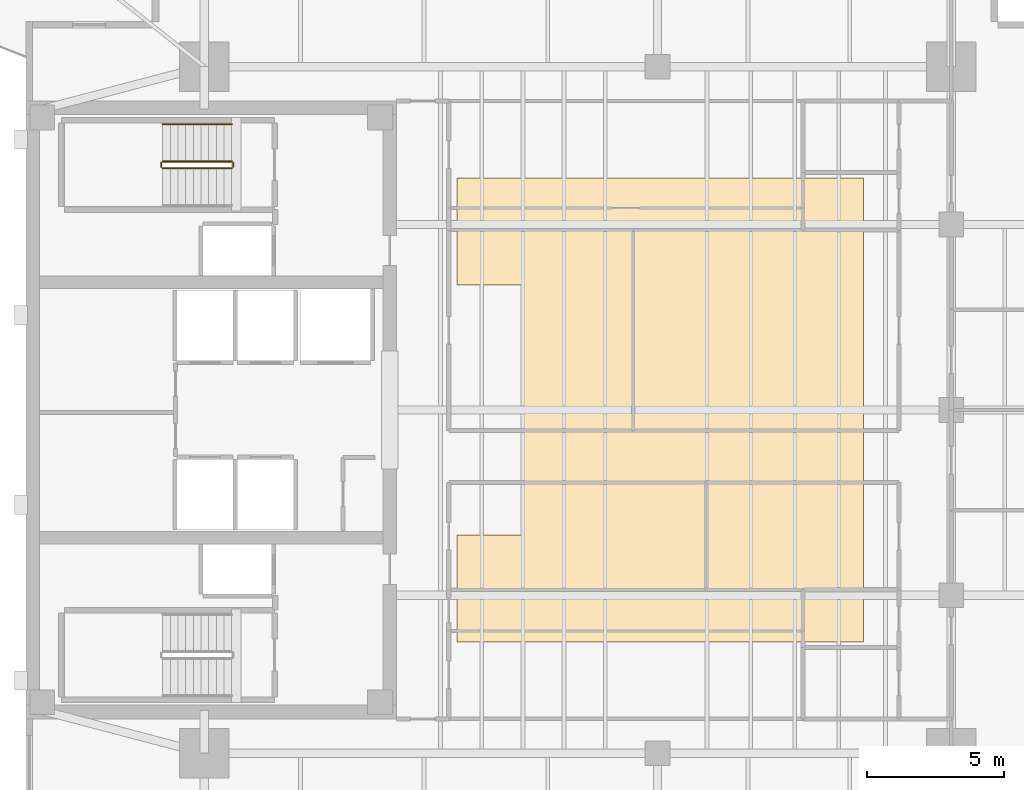
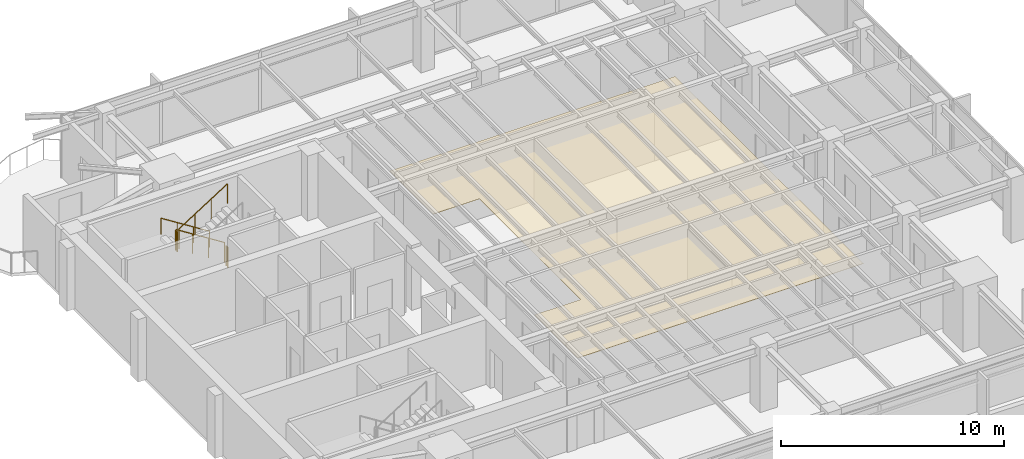
# One storey, part 13 of 14: 5 railings, 1 covering.
"""IFC4 building model written with IfcOpenShell, lengths in metres."""

import ifcopenshell
import ifcopenshell.guid

model = None  # the IFC model being written
_history = None  # IfcOwnerHistory: only IFC2X3 demands one
_inside = {}  # id of a spatial element -> (the spatial element, [elements in it])
_under = {}  # id of a project, library or spatial element -> (it, [spatial elements below it])
_declared = {}  # id of a project -> (the project, [libraries it declares])
_typed = {}  # id of a type object -> (the type object, [elements of that type])
_made_of = {}  # id of a material, layer set ... -> (it, [elements and type objects made of it])


def new_model(schema):
    """Start an empty IFC model of exactly this schema.

    Asked for "IFC4X3", IfcOpenShell would pick the latest addendum, in which some entities
    have other attributes; the version numbers below select the first issue.
    IFC2X3 requires an IfcOwnerHistory on every rooted entity: one is made here for all.
    """
    global model, _history
    if schema == "IFC4X3":
        model = ifcopenshell.file(schema_version=(4, 3, 0, 0))
    else:
        model = ifcopenshell.file(schema=schema)
    _inside.clear()
    _under.clear()
    _declared.clear()
    _typed.clear()
    _made_of.clear()
    _history = None
    if model.schema == "IFC2X3":
        org = make("IfcOrganization", Name="unknown")
        user = make(
            "IfcPersonAndOrganization",
            ThePerson=make("IfcPerson", FamilyName="unknown"),
            TheOrganization=org,
        )
        app = make(
            "IfcApplication",
            ApplicationDeveloper=org,
            Version="unknown",
            ApplicationFullName="unknown",
            ApplicationIdentifier="unknown",
        )
        _history = make(
            "IfcOwnerHistory",
            OwningUser=user,
            OwningApplication=app,
            ChangeAction="ADDED",
            CreationDate=0,
        )
    return model


def make(cls, **values):
    """One entity of the class cls with the attributes given. An attribute that is None is left unset."""
    return model.create_entity(
        cls, **{name: value for name, value in values.items() if value is not None}
    )


def rooted(cls, **values):
    """An entity with a GlobalId (a new one), such as an element, a storey or a relation."""
    return make(cls, GlobalId=ifcopenshell.guid.new(), OwnerHistory=_history, **values)


def si_unit(unit_type, name, prefix=None):
    """IfcSIUnit, for example si_unit("LENGTHUNIT", "METRE", prefix="MILLI")."""
    return make("IfcSIUnit", UnitType=unit_type, Prefix=prefix, Name=name)


def assignment(units):
    """IfcUnitAssignment: the units of a project."""
    return None if units is None else make("IfcUnitAssignment", Units=units)


def point(xyz):
    """IfcCartesianPoint."""
    return None if xyz is None else make("IfcCartesianPoint", Coordinates=xyz)


def direction(xyz):
    """IfcDirection."""
    return None if xyz is None else make("IfcDirection", DirectionRatios=xyz)


def frame(location, z_axis=None, x_axis=None):
    """IfcAxis2Placement3D, a coordinate frame: its origin and axes. An axis left out is left unset."""
    return make(
        "IfcAxis2Placement3D",
        Location=point(location),
        Axis=direction(z_axis),
        RefDirection=direction(x_axis),
    )


def frame_2d(location, x_axis=None):
    """IfcAxis2Placement2D, a coordinate frame in the plane: its origin and x axis."""
    return make(
        "IfcAxis2Placement2D", Location=point(location), RefDirection=direction(x_axis)
    )


def origin():
    """The frame at (0, 0, 0) with its axes left unset."""
    return frame((0.0, 0.0, 0.0))


def origin_2d():
    """The frame at (0, 0) in the plane with its x axis left unset."""
    return frame_2d((0.0, 0.0))


def place(relative_to, where):
    """IfcLocalPlacement: puts the frame where relative to a parent placement (None: the world)."""
    return make(
        "IfcLocalPlacement", PlacementRelTo=relative_to, RelativePlacement=where
    )


def context(
    kind, dimensions, precision=None, world=None, true_north=None, identifier=None
):
    """IfcGeometricRepresentationContext, for example the 3D "Model" context."""
    return make(
        "IfcGeometricRepresentationContext",
        ContextIdentifier=identifier,
        ContextType=kind,
        CoordinateSpaceDimension=dimensions,
        Precision=precision,
        WorldCoordinateSystem=world,
        TrueNorth=true_north,
    )


def subcontext(parent, identifier, kind, view, scale=None):
    """IfcGeometricRepresentationSubContext, for example "Body" below "Model"."""
    return make(
        "IfcGeometricRepresentationSubContext",
        ContextIdentifier=identifier,
        ContextType=kind,
        ParentContext=parent,
        TargetScale=scale,
        TargetView=view,
    )


def project(units=None, contexts=None):
    """IfcProject with its units and contexts."""
    return rooted(
        "IfcProject",
        Name="project",
        RepresentationContexts=contexts,
        UnitsInContext=assignment(units),
    )


def spatial(cls, under=None, at=None, **own):
    """A site, building, storey or space (cls), placed at a placement, below another one or the project."""
    s = rooted(cls, ObjectPlacement=at, **own)
    if under is not None:
        _under.setdefault(under.id(), (under, []))[1].append(s)
    return s


def polyline(points):
    """IfcPolyline through the points."""
    return make("IfcPolyline", Points=[point(p) for p in points])


def profile(cls, at=None, kind="AREA", **sizes):
    """A parametric profile (cls). Its sizes go by their IFC names, for example OverallWidth=200.0."""
    return make(cls, ProfileType=kind, Position=at, **sizes)


def circle(**sizes):
    """IfcCircleProfileDef."""
    return profile("IfcCircleProfileDef", **sizes)


def outline(outer, holes=None, kind="AREA"):
    """IfcArbitraryClosedProfileDef: a profile drawn as a closed curve; with holes, ...WithVoids."""
    if holes is None:
        return make("IfcArbitraryClosedProfileDef", ProfileType=kind, OuterCurve=outer)
    return make(
        "IfcArbitraryProfileDefWithVoids",
        ProfileType=kind,
        OuterCurve=outer,
        InnerCurves=holes,
    )


def extrude(swept, where, along, depth):
    """IfcExtrudedAreaSolid: the profile swept, set in the frame where, extruded along a direction by depth."""
    return make(
        "IfcExtrudedAreaSolid",
        SweptArea=swept,
        Position=where,
        ExtrudedDirection=direction(along),
        Depth=depth,
    )


def shape(context_of_items, identifier, shape_type, items):
    """IfcShapeRepresentation: the items that make up one representation, for example the "Body"."""
    return make(
        "IfcShapeRepresentation",
        ContextOfItems=context_of_items,
        RepresentationIdentifier=identifier,
        RepresentationType=shape_type,
        Items=items,
    )


def material(Name=None, Category=None):
    """IfcMaterial."""
    return make("IfcMaterial", Name=Name, Category=Category)


def layer(
    of_material, thickness, ventilated=None, Name=None, Category=None, Priority=None
):
    """IfcMaterialLayer: one layer of a wall or slab, of a material (None: an air gap)."""
    return make(
        "IfcMaterialLayer",
        Material=of_material,
        LayerThickness=thickness,
        IsVentilated=ventilated,
        Name=Name,
        Category=Category,
        Priority=Priority,
    )


def layer_set(layers, Name=None):
    """IfcMaterialLayerSet."""
    return make("IfcMaterialLayerSet", MaterialLayers=layers, LayerSetName=Name)


def made_of(thing, what):
    """Note that an element or type object is made of a material, layer set ...; save() writes the relation."""
    if what is not None:
        _made_of.setdefault(what.id(), (what, []))[1].append(thing)
    return thing


def type_object(cls, material=None, **own):
    """A type object (cls), such as IfcWallType, which elements share."""
    return made_of(rooted(cls, **own), material)


def element(
    cls,
    number,
    at=None,
    inside=None,
    cuts=None,
    type_object=None,
    material=None,
    context=None,
    identifier="Body",
    shape_type=None,
    held_by="IfcProductDefinitionShape",
    body=None,
    shapes=None,
    **own,
):
    """One element of the class cls, such as IfcWall. Its Tag is "e" and its number.

    at: its placement. inside: the storey or other place that contains it. cuts: it is an
    opening in that element (IfcRelVoidsElement). A single representation is given by context,
    identifier, shape_type and body (its items); several are given by shapes. held_by: the class
    of the entity that holds the representations. save() writes the other relations.
    """
    e = rooted(cls, Tag="e%d" % number, ObjectPlacement=at, **own)
    if body is not None:
        shapes = [shape(context, identifier, shape_type, body)]
    if shapes is not None:
        e.Representation = make(held_by, Representations=shapes)
    if inside is not None:
        _inside.setdefault(inside.id(), (inside, []))[1].append(e)
    if cuts is not None:
        rooted(
            "IfcRelVoidsElement", RelatingBuildingElement=cuts, RelatedOpeningElement=e
        )
    if type_object is not None:
        _typed.setdefault(type_object.id(), (type_object, []))[1].append(e)
    return made_of(e, material)


def aggregate(whole, parts):
    """IfcRelAggregates: a whole, such as a stair, and the parts it consists of."""
    return rooted("IfcRelAggregates", RelatingObject=whole, RelatedObjects=parts)


def save(model, path):
    """Write the relations noted so far, then the file.

    IfcRelAggregates (storeys below a building ...), IfcRelContainedInSpatialStructure (elements
    in a storey), IfcRelDefinesByType, IfcRelAssociatesMaterial and IfcRelDeclares: one each for
    every whole, place, type object, material and project.
    """
    for whole, parts in _under.values():
        aggregate(whole, parts)
    for where, things in _inside.values():
        rooted(
            "IfcRelContainedInSpatialStructure",
            RelatedElements=things,
            RelatingStructure=where,
        )
    for kind, things in _typed.values():
        rooted("IfcRelDefinesByType", RelatedObjects=things, RelatingType=kind)
    for what, things in _made_of.values():
        rooted("IfcRelAssociatesMaterial", RelatedObjects=things, RelatingMaterial=what)
    for by, libraries in _declared.values():
        rooted("IfcRelDeclares", RelatingContext=by, RelatedDefinitions=libraries)
    model.write(path)


model = new_model("IFC4")

# Units and contexts
model_context = context("Model", 3, precision=1e-05, world=origin(), true_north=direction((0.0, 1.0)))
body_context = subcontext(model_context, "Body", "Model", "MODEL_VIEW")
ifc_project = project(units=[si_unit("LENGTHUNIT", "METRE"), si_unit("AREAUNIT", "SQUARE_METRE"), si_unit("VOLUMEUNIT", "CUBIC_METRE"), si_unit("PLANEANGLEUNIT", "RADIAN"), si_unit("MASSUNIT", "GRAM", prefix="KILO")], contexts=[model_context])

# Site, building, storey
site_placement = place(None, origin())
site = spatial("IfcSite", under=ifc_project, at=site_placement, CompositionType="ELEMENT")
building_placement = place(site_placement, origin())
building = spatial("IfcBuilding", under=site, at=building_placement, Name="Kinhvarn Gate Tower", CompositionType="ELEMENT")
storey_placement = place(building_placement, frame((0.0, 0.0, 252.800048828125)))
storey = spatial("IfcBuildingStorey", under=building, at=storey_placement, Name="L67", CompositionType="ELEMENT", Elevation=252.800048828125)

# Covering
ifc_material_1 = material(Name="Mineral-fibre acoustic ceiling tile")
ifc_layer = layer(ifc_material_1, 0.02001953125)
ifc_layer_set = layer_set([ifc_layer], Name="Mineral-fibre acoustic ceiling tile")
covering_type = type_object("IfcCoveringType", Name="COV-CEIL-20", PredefinedType="CEILING", material=ifc_layer_set)
covering_placement = place(storey_placement, frame((0.0, 0.0, 2.64990234375)))
element("IfcCovering", 1, at=covering_placement, inside=storey, type_object=covering_type, Name="Suspended Acoustic Ceiling Tile (L67-1)", PredefinedType="CEILING", context=body_context, shape_type="SweptSolid", body=[
    extrude(outline(polyline([(35.0, 33.699951171875), (35.0, 16.800048828125), (20.199951171875, 16.800048828125), (20.199951171875, 20.699951171875), (22.60009765625, 20.699951171875), (22.60009765625, 29.800048828125), (20.199951171875, 29.800048828125), (20.199951171875, 33.699951171875), (35.0, 33.699951171875)])), origin(), (0.0, 0.0, 1.0), 0.02001953125),
])

# Railings
ifc_material_2 = material(Name="Steel S355", Category="steel")
railing_type_1 = type_object("IfcRailingType", Name="RL-ST-GRD", PredefinedType="BALUSTRADE", material=ifc_material_2)
railing_1_placement = place(storey_placement, frame((12.0, 34.300048828125, 0.177490234375)))
element("IfcRailing", 2, at=railing_1_placement, inside=storey, type_object=railing_type_1, Name="L67 ST2 stair guard 1", PredefinedType="BALUSTRADE", context=body_context, shape_type="SweptSolid", body=[
    extrude(circle(Radius=0.02392578125, at=origin_2d()), frame((0.0, 0.0, 1.076171875), z_axis=(-0.84460694969, 0.0, 0.535386869969), x_axis=(0.0, -1.0, 0.0)), (0.0, 0.0, 1.0), 2.983642578125),
    extrude(circle(Radius=0.02099609375, at=origin_2d()), origin(), (0.0, 0.0, 1.0), 1.052001953125),
    extrude(circle(Radius=0.02099609375, at=origin_2d()), frame((-0.840087890625, 0.0, 0.532470703125)), (0.0, 0.0, 1.0), 1.052001953125),
    extrude(circle(Radius=0.02099609375, at=origin_2d()), frame((-1.679931640625, 0.0, 1.06494140625)), (0.0, 0.0, 1.0), 1.052001953125),
    extrude(circle(Radius=0.02099609375, at=origin_2d()), frame((-2.52001953125, 0.0, 1.597412109375)), (0.0, 0.0, 1.0), 1.052001953125),
])
railing_2_placement = place(storey_placement, frame((9.429931640625, 34.25, 1.77490234375)))
element("IfcRailing", 3, at=railing_2_placement, inside=storey, type_object=railing_type_1, Name="L67 ST2 stair guard 2", PredefinedType="BALUSTRADE", context=body_context, shape_type="SweptSolid", body=[
    extrude(circle(Radius=0.02392578125, at=origin_2d()), frame((0.0, 0.0, 1.076171875), z_axis=(0.0, -1.0, 0.0), x_axis=(1.0, 0.0, 0.0)), (0.0, 0.0, 1.0), 0.14990234375),
    extrude(circle(Radius=0.02099609375, at=origin_2d()), origin(), (0.0, 0.0, 1.0), 1.052001953125),
    extrude(circle(Radius=0.02099609375, at=origin_2d()), frame((0.0, -0.14990234375, 0.0)), (0.0, 0.0, 1.0), 1.052001953125),
])
railing_3_placement = place(storey_placement, frame((9.47998046875, 34.050048828125, 1.952392578125)))
element("IfcRailing", 4, at=railing_3_placement, inside=storey, type_object=railing_type_1, Name="L67 ST2 stair guard 3", PredefinedType="BALUSTRADE", context=body_context, shape_type="SweptSolid", body=[
    extrude(circle(Radius=0.02392578125, at=origin_2d()), frame((0.0, 0.0, 1.076171875), z_axis=(0.84456994832, 0.0, 0.535445237532), x_axis=(0.0, 1.0, 0.0)), (0.0, 0.0, 1.0), 2.98388671875),
    extrude(circle(Radius=0.02099609375, at=origin_2d()), origin(), (0.0, 0.0, 1.0), 1.052001953125),
    extrude(circle(Radius=0.02099609375, at=origin_2d()), frame((0.840087890625, 0.0, 0.532470703125)), (0.0, 0.0, 1.0), 1.052001953125),
    extrude(circle(Radius=0.02099609375, at=origin_2d()), frame((1.679931640625, 0.0, 1.065185546875)), (0.0, 0.0, 1.0), 1.052001953125),
    extrude(circle(Radius=0.02099609375, at=origin_2d()), frame((2.52001953125, 0.0, 1.59765625)), (0.0, 0.0, 1.0), 1.052001953125),
])
railing_4_placement = place(storey_placement, frame((12.050048828125, 34.25, 0.0)))
element("IfcRailing", 5, at=railing_4_placement, inside=storey, type_object=railing_type_1, Name="L67 ST2 stair guard 4", PredefinedType="BALUSTRADE", context=body_context, shape_type="SweptSolid", body=[
    extrude(circle(Radius=0.02392578125, at=origin_2d()), frame((0.0, 0.0, 1.076171875), z_axis=(0.0, -1.0, 0.0), x_axis=(1.0, 0.0, 0.0)), (0.0, 0.0, 1.0), 0.14990234375),
    extrude(circle(Radius=0.02099609375, at=origin_2d()), origin(), (0.0, 0.0, 1.0), 1.052001953125),
    extrude(circle(Radius=0.02099609375, at=origin_2d()), frame((0.0, -0.14990234375, 0.0)), (0.0, 0.0, 1.0), 1.052001953125),
])
railing_type_2 = type_object("IfcRailingType", Name="RL-ST-HND", PredefinedType="HANDRAIL", material=ifc_material_2)
railing_5_placement = place(storey_placement, frame((12.0, 35.64990234375, 0.177490234375)))
element("IfcRailing", 6, at=railing_5_placement, inside=storey, type_object=railing_type_2, Name="L67 ST2 stair handrail 1", PredefinedType="HANDRAIL", context=body_context, shape_type="SweptSolid", body=[
    extrude(circle(Radius=0.02392578125, at=origin_2d()), frame((0.0, 0.0, 0.8759765625), z_axis=(-0.84460694969, 0.0, 0.535386869969), x_axis=(0.0, -1.0, 0.0)), (0.0, 0.0, 1.0), 2.983642578125),
    extrude(circle(Radius=0.02099609375, at=origin_2d()), origin(), (0.0, 0.0, 1.0), 0.851806640625),
    extrude(circle(Radius=0.02099609375, at=origin_2d()), frame((-0.840087890625, 0.0, 0.532470703125)), (0.0, 0.0, 1.0), 0.851806640625),
    extrude(circle(Radius=0.02099609375, at=origin_2d()), frame((-1.679931640625, 0.0, 1.06494140625)), (0.0, 0.0, 1.0), 0.851806640625),
    extrude(circle(Radius=0.02099609375, at=origin_2d()), frame((-2.52001953125, 0.0, 1.597412109375)), (0.0, 0.0, 1.0), 0.851806640625),
])

save(model, "model.ifc")
